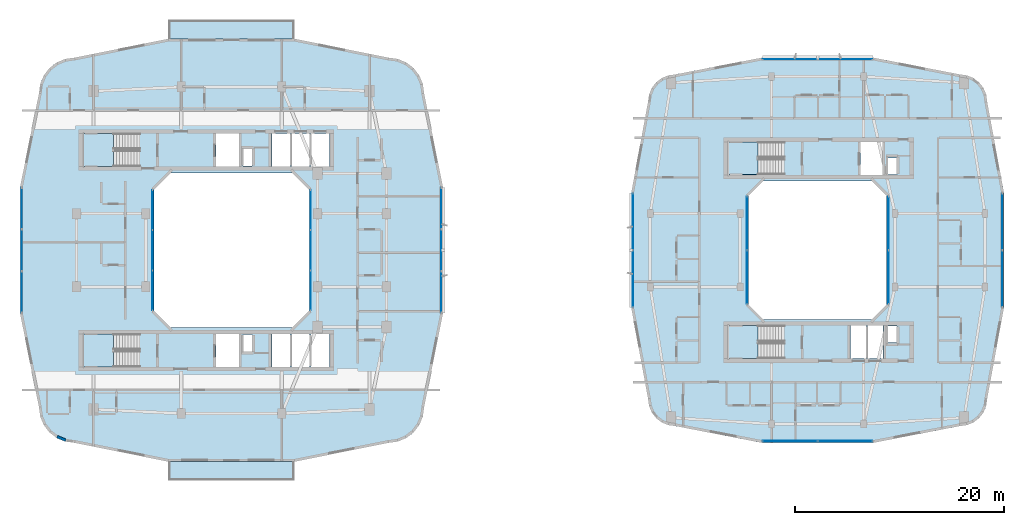
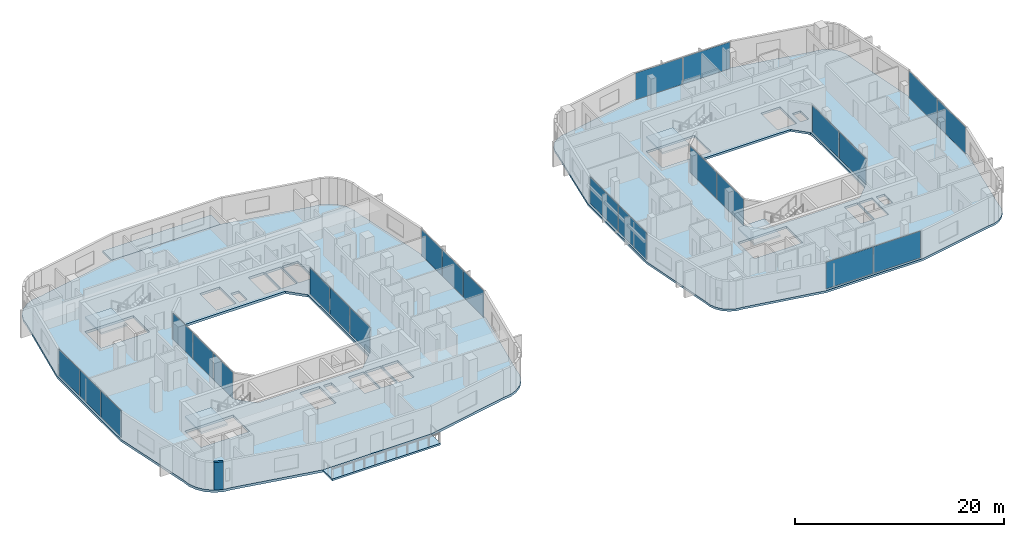
# One storey, part 10 of 26: 24 plates, 8 slabs, 1 wall, 14 elements without a shape of their own.
"""IFC4 building model written with IfcOpenShell, lengths in metres."""

import ifcopenshell
import ifcopenshell.guid

model = None  # the IFC model being written
_history = None  # IfcOwnerHistory: only IFC2X3 demands one
_inside = {}  # id of a spatial element -> (the spatial element, [elements in it])
_under = {}  # id of a project, library or spatial element -> (it, [spatial elements below it])
_declared = {}  # id of a project -> (the project, [libraries it declares])
_typed = {}  # id of a type object -> (the type object, [elements of that type])
_made_of = {}  # id of a material, layer set ... -> (it, [elements and type objects made of it])


def new_model(schema):
    """Start an empty IFC model of exactly this schema.

    Asked for "IFC4X3", IfcOpenShell would pick the latest addendum, in which some entities
    have other attributes; the version numbers below select the first issue.
    IFC2X3 requires an IfcOwnerHistory on every rooted entity: one is made here for all.
    """
    global model, _history
    if schema == "IFC4X3":
        model = ifcopenshell.file(schema_version=(4, 3, 0, 0))
    else:
        model = ifcopenshell.file(schema=schema)
    _inside.clear()
    _under.clear()
    _declared.clear()
    _typed.clear()
    _made_of.clear()
    _history = None
    if model.schema == "IFC2X3":
        org = make("IfcOrganization", Name="unknown")
        user = make(
            "IfcPersonAndOrganization",
            ThePerson=make("IfcPerson", FamilyName="unknown"),
            TheOrganization=org,
        )
        app = make(
            "IfcApplication",
            ApplicationDeveloper=org,
            Version="unknown",
            ApplicationFullName="unknown",
            ApplicationIdentifier="unknown",
        )
        _history = make(
            "IfcOwnerHistory",
            OwningUser=user,
            OwningApplication=app,
            ChangeAction="ADDED",
            CreationDate=0,
        )
    return model


def make(cls, **values):
    """One entity of the class cls with the attributes given. An attribute that is None is left unset."""
    return model.create_entity(
        cls, **{name: value for name, value in values.items() if value is not None}
    )


def rooted(cls, **values):
    """An entity with a GlobalId (a new one), such as an element, a storey or a relation."""
    return make(cls, GlobalId=ifcopenshell.guid.new(), OwnerHistory=_history, **values)


def si_unit(unit_type, name, prefix=None):
    """IfcSIUnit, for example si_unit("LENGTHUNIT", "METRE", prefix="MILLI")."""
    return make("IfcSIUnit", UnitType=unit_type, Prefix=prefix, Name=name)


def derived_unit(unit_type, elements):
    """IfcDerivedUnit: a product of units, each with its exponent."""
    return make(
        "IfcDerivedUnit",
        Elements=[
            make("IfcDerivedUnitElement", Unit=unit, Exponent=power)
            for unit, power in elements
        ],
        UnitType=unit_type,
    )


def assignment(units):
    """IfcUnitAssignment: the units of a project."""
    return None if units is None else make("IfcUnitAssignment", Units=units)


def point(xyz):
    """IfcCartesianPoint."""
    return None if xyz is None else make("IfcCartesianPoint", Coordinates=xyz)


def direction(xyz):
    """IfcDirection."""
    return None if xyz is None else make("IfcDirection", DirectionRatios=xyz)


def frame(location, z_axis=None, x_axis=None):
    """IfcAxis2Placement3D, a coordinate frame: its origin and axes. An axis left out is left unset."""
    return make(
        "IfcAxis2Placement3D",
        Location=point(location),
        Axis=direction(z_axis),
        RefDirection=direction(x_axis),
    )


def frame_2d(location, x_axis=None):
    """IfcAxis2Placement2D, a coordinate frame in the plane: its origin and x axis."""
    return make(
        "IfcAxis2Placement2D", Location=point(location), RefDirection=direction(x_axis)
    )


def origin():
    """The frame at (0, 0, 0) with its axes left unset."""
    return frame((0.0, 0.0, 0.0))


def origin_2d():
    """The frame at (0, 0) in the plane with its x axis left unset."""
    return frame_2d((0.0, 0.0))


def place(relative_to, where):
    """IfcLocalPlacement: puts the frame where relative to a parent placement (None: the world)."""
    return make(
        "IfcLocalPlacement", PlacementRelTo=relative_to, RelativePlacement=where
    )


def context(
    kind, dimensions, precision=None, world=None, true_north=None, identifier=None
):
    """IfcGeometricRepresentationContext, for example the 3D "Model" context."""
    return make(
        "IfcGeometricRepresentationContext",
        ContextIdentifier=identifier,
        ContextType=kind,
        CoordinateSpaceDimension=dimensions,
        Precision=precision,
        WorldCoordinateSystem=world,
        TrueNorth=true_north,
    )


def subcontext(parent, identifier, kind, view, scale=None):
    """IfcGeometricRepresentationSubContext, for example "Body" below "Model"."""
    return make(
        "IfcGeometricRepresentationSubContext",
        ContextIdentifier=identifier,
        ContextType=kind,
        ParentContext=parent,
        TargetScale=scale,
        TargetView=view,
    )


def project(units=None, contexts=None):
    """IfcProject with its units and contexts."""
    return rooted(
        "IfcProject",
        Name="project",
        RepresentationContexts=contexts,
        UnitsInContext=assignment(units),
    )


def spatial(cls, under=None, at=None, **own):
    """A site, building, storey or space (cls), placed at a placement, below another one or the project."""
    s = rooted(cls, ObjectPlacement=at, **own)
    if under is not None:
        _under.setdefault(under.id(), (under, []))[1].append(s)
    return s


def polyline(points):
    """IfcPolyline through the points."""
    return make("IfcPolyline", Points=[point(p) for p in points])


def profile(cls, at=None, kind="AREA", **sizes):
    """A parametric profile (cls). Its sizes go by their IFC names, for example OverallWidth=200.0."""
    return make(cls, ProfileType=kind, Position=at, **sizes)


def rectangle(**sizes):
    """IfcRectangleProfileDef."""
    return profile("IfcRectangleProfileDef", **sizes)


def outline(outer, holes=None, kind="AREA"):
    """IfcArbitraryClosedProfileDef: a profile drawn as a closed curve; with holes, ...WithVoids."""
    if holes is None:
        return make("IfcArbitraryClosedProfileDef", ProfileType=kind, OuterCurve=outer)
    return make(
        "IfcArbitraryProfileDefWithVoids",
        ProfileType=kind,
        OuterCurve=outer,
        InnerCurves=holes,
    )


def extrude(swept, where, along, depth):
    """IfcExtrudedAreaSolid: the profile swept, set in the frame where, extruded along a direction by depth."""
    return make(
        "IfcExtrudedAreaSolid",
        SweptArea=swept,
        Position=where,
        ExtrudedDirection=direction(along),
        Depth=depth,
    )


def shape(context_of_items, identifier, shape_type, items):
    """IfcShapeRepresentation: the items that make up one representation, for example the "Body"."""
    return make(
        "IfcShapeRepresentation",
        ContextOfItems=context_of_items,
        RepresentationIdentifier=identifier,
        RepresentationType=shape_type,
        Items=items,
    )


def material(Name=None, Category=None):
    """IfcMaterial."""
    return make("IfcMaterial", Name=Name, Category=Category)


def layer(
    of_material, thickness, ventilated=None, Name=None, Category=None, Priority=None
):
    """IfcMaterialLayer: one layer of a wall or slab, of a material (None: an air gap)."""
    return make(
        "IfcMaterialLayer",
        Material=of_material,
        LayerThickness=thickness,
        IsVentilated=ventilated,
        Name=Name,
        Category=Category,
        Priority=Priority,
    )


def layer_set(layers, Name=None):
    """IfcMaterialLayerSet."""
    return make("IfcMaterialLayerSet", MaterialLayers=layers, LayerSetName=Name)


def made_of(thing, what):
    """Note that an element or type object is made of a material, layer set ...; save() writes the relation."""
    if what is not None:
        _made_of.setdefault(what.id(), (what, []))[1].append(thing)
    return thing


def type_object(cls, material=None, **own):
    """A type object (cls), such as IfcWallType, which elements share."""
    return made_of(rooted(cls, **own), material)


def element(
    cls,
    number,
    at=None,
    inside=None,
    cuts=None,
    type_object=None,
    material=None,
    context=None,
    identifier="Body",
    shape_type=None,
    held_by="IfcProductDefinitionShape",
    body=None,
    shapes=None,
    **own,
):
    """One element of the class cls, such as IfcWall. Its Tag is "e" and its number.

    at: its placement. inside: the storey or other place that contains it. cuts: it is an
    opening in that element (IfcRelVoidsElement). A single representation is given by context,
    identifier, shape_type and body (its items); several are given by shapes. held_by: the class
    of the entity that holds the representations. save() writes the other relations.
    """
    e = rooted(cls, Tag="e%d" % number, ObjectPlacement=at, **own)
    if body is not None:
        shapes = [shape(context, identifier, shape_type, body)]
    if shapes is not None:
        e.Representation = make(held_by, Representations=shapes)
    if inside is not None:
        _inside.setdefault(inside.id(), (inside, []))[1].append(e)
    if cuts is not None:
        rooted(
            "IfcRelVoidsElement", RelatingBuildingElement=cuts, RelatedOpeningElement=e
        )
    if type_object is not None:
        _typed.setdefault(type_object.id(), (type_object, []))[1].append(e)
    return made_of(e, material)


def aggregate(whole, parts):
    """IfcRelAggregates: a whole, such as a stair, and the parts it consists of."""
    return rooted("IfcRelAggregates", RelatingObject=whole, RelatedObjects=parts)


def save(model, path):
    """Write the relations noted so far, then the file.

    IfcRelAggregates (storeys below a building ...), IfcRelContainedInSpatialStructure (elements
    in a storey), IfcRelDefinesByType, IfcRelAssociatesMaterial and IfcRelDeclares: one each for
    every whole, place, type object, material and project.
    """
    for whole, parts in _under.values():
        aggregate(whole, parts)
    for where, things in _inside.values():
        rooted(
            "IfcRelContainedInSpatialStructure",
            RelatedElements=things,
            RelatingStructure=where,
        )
    for kind, things in _typed.values():
        rooted("IfcRelDefinesByType", RelatedObjects=things, RelatingType=kind)
    for what, things in _made_of.values():
        rooted("IfcRelAssociatesMaterial", RelatedObjects=things, RelatingMaterial=what)
    for by, libraries in _declared.values():
        rooted("IfcRelDeclares", RelatingContext=by, RelatedDefinitions=libraries)
    model.write(path)


model = new_model("IFC4")

# Units and contexts
model_context = context("Model", 3, precision=1e-05, world=origin(), true_north=direction((0.0, 1.0)))
body_context = subcontext(model_context, "Body", "Model", "MODEL_VIEW")
ifc_project = project(units=[si_unit("LENGTHUNIT", "METRE"), si_unit("AREAUNIT", "SQUARE_METRE"), si_unit("VOLUMEUNIT", "CUBIC_METRE"), si_unit("PLANEANGLEUNIT", "RADIAN"), si_unit("MASSUNIT", "GRAM", prefix="KILO"), derived_unit("THERMALTRANSMITTANCEUNIT", [(si_unit("POWERUNIT", "WATT"), 1), (si_unit("LENGTHUNIT", "METRE"), -2), (si_unit("THERMODYNAMICTEMPERATUREUNIT", "KELVIN"), -1)])], contexts=[model_context])

# Site, building, storey
site_placement = place(None, origin())
site = spatial("IfcSite", under=ifc_project, at=site_placement, CompositionType="ELEMENT")
building_placement = place(site_placement, origin())
building = spatial("IfcBuilding", under=site, at=building_placement, Name="Kivonza Crest Hotel", CompositionType="ELEMENT")
storey_placement = place(building_placement, frame((0.0, 0.0, 95.0)))
storey = spatial("IfcBuildingStorey", under=building, at=storey_placement, Name="L25", CompositionType="ELEMENT", Elevation=95.0)

# Curtain wall, plates
ifc_material_1 = material(Name="Anodised bronze aluminium and low-E double glazing", Category="aluminium")
ifc_layer_1 = layer(ifc_material_1, 0.179931640625)
ifc_layer_set_1 = layer_set([ifc_layer_1], Name="Anodised bronze aluminium and low-E double glazing")
curtain_wall_type_1 = type_object("IfcCurtainWallType", Name="CW-SYS-2", PredefinedType="NOTDEFINED", material=ifc_layer_set_1)
curtain_wall_1_placement = place(storey_placement, origin())
curtain_wall_1 = element("IfcCurtainWall", 1, at=curtain_wall_1_placement, inside=storey, type_object=curtain_wall_type_1, Name="L25 unitised curtain wall CW-T1-L25-17", PredefinedType="NOTDEFINED")
ifc_material_2 = material(Name="Solar-control low-E double glazing", Category="glass")
ifc_layer_2 = layer(ifc_material_2, 0.028076171875)
ifc_layer_set_2 = layer_set([ifc_layer_2], Name="Solar-control low-E double glazing")
plate_type = type_object("IfcPlateType", Name="CW-PNL-28", PredefinedType="CURTAIN_PANEL", material=ifc_layer_set_2)
plate_1_placement = place(storey_placement, frame((41.0400390625, 21.0029296875, 0.06494140625), z_axis=(0.0, 0.0, 1.0), x_axis=(0.0, 1.0, 0.0)))
plate_1 = element("IfcPlate", 2, at=plate_1_placement, type_object=plate_type, Name="CW-2 panel 1.1", PredefinedType="CURTAIN_PANEL", context=body_context, shape_type="SweptSolid", body=[
    extrude(rectangle(XDim=3.915771484375, YDim=0.028076171875, at=origin_2d()), origin(), (0.0, 0.0, 1.0), 3.090087890625),
])
plate_2_placement = place(storey_placement, frame((41.0400390625, 25.0, 0.06494140625), z_axis=(0.0, 0.0, 1.0), x_axis=(0.0, 1.0, 0.0)))
plate_2 = element("IfcPlate", 3, at=plate_2_placement, type_object=plate_type, Name="CW-2 panel 2.1", PredefinedType="CURTAIN_PANEL", context=body_context, shape_type="SweptSolid", body=[
    extrude(rectangle(XDim=3.9482421875, YDim=0.028076171875, at=origin_2d()), origin(), (0.0, 0.0, 1.0), 3.090087890625),
])
plate_3_placement = place(storey_placement, frame((41.0400390625, 28.9970703125, 0.06494140625), z_axis=(0.0, 0.0, 1.0), x_axis=(0.0, 1.0, 0.0)))
plate_3 = element("IfcPlate", 4, at=plate_3_placement, type_object=plate_type, Name="CW-2 panel 3.1", PredefinedType="CURTAIN_PANEL", context=body_context, shape_type="SweptSolid", body=[
    extrude(rectangle(XDim=3.915771484375, YDim=0.028076171875, at=origin_2d()), origin(), (0.0, 0.0, 1.0), 3.090087890625),
])
aggregate(curtain_wall_1, [plate_1, plate_2, plate_3])

curtain_wall_2_placement = place(storey_placement, origin())
curtain_wall_2 = element("IfcCurtainWall", 5, at=curtain_wall_2_placement, inside=storey, type_object=curtain_wall_type_1, Name="L25 unitised curtain wall CW-T1-L25-35", PredefinedType="NOTDEFINED")
plate_4_placement = place(storey_placement, frame((0.9599609375, 28.9970703125, 0.06494140625), z_axis=(0.0, 0.0, 1.0), x_axis=(0.0, -1.0, 0.0)))
plate_4 = element("IfcPlate", 6, at=plate_4_placement, type_object=plate_type, Name="CW-2 panel 1.1", PredefinedType="CURTAIN_PANEL", context=body_context, shape_type="SweptSolid", body=[
    extrude(rectangle(XDim=3.915771484375, YDim=0.028076171875, at=origin_2d()), origin(), (0.0, 0.0, 1.0), 3.090087890625),
])
plate_5_placement = place(storey_placement, frame((0.9599609375, 25.0, 0.06494140625), z_axis=(0.0, 0.0, 1.0), x_axis=(0.0, -1.0, 0.0)))
plate_5 = element("IfcPlate", 7, at=plate_5_placement, type_object=plate_type, Name="CW-2 panel 2.1", PredefinedType="CURTAIN_PANEL", context=body_context, shape_type="SweptSolid", body=[
    extrude(rectangle(XDim=3.9482421875, YDim=0.028076171875, at=origin_2d()), origin(), (0.0, 0.0, 1.0), 3.090087890625),
])
plate_6_placement = place(storey_placement, frame((0.9599609375, 21.0029296875, 0.06494140625), z_axis=(0.0, 0.0, 1.0), x_axis=(0.0, -1.0, 0.0)))
plate_6 = element("IfcPlate", 8, at=plate_6_placement, type_object=plate_type, Name="CW-2 panel 3.1", PredefinedType="CURTAIN_PANEL", context=body_context, shape_type="SweptSolid", body=[
    extrude(rectangle(XDim=3.915771484375, YDim=0.028076171875, at=origin_2d()), origin(), (0.0, 0.0, 1.0), 3.090087890625),
])
aggregate(curtain_wall_2, [plate_4, plate_5, plate_6])

ifc_layer_3 = layer(ifc_material_1, 0.159912109375)
ifc_layer_set_3 = layer_set([ifc_layer_3], Name="Anodised bronze aluminium and low-E double glazing")
curtain_wall_type_2 = type_object("IfcCurtainWallType", Name="CW-SYS-5", PredefinedType="NOTDEFINED", material=ifc_layer_set_3)
curtain_wall_3_placement = place(storey_placement, origin())
curtain_wall_3 = element("IfcCurtainWall", 9, at=curtain_wall_3_placement, inside=storey, type_object=curtain_wall_type_2, Name="L25 unitised curtain wall CW-WELL-T1-L25-3", PredefinedType="NOTDEFINED")
plate_7_placement = place(storey_placement, frame((28.56005859375, 21.149658203125, 0.06494140625), z_axis=(0.0, 0.0, 1.0), x_axis=(0.0, 1.0, 0.0)))
plate_7 = element("IfcPlate", 10, at=plate_7_placement, type_object=plate_type, Name="CW-5 panel 1.1", PredefinedType="CURTAIN_PANEL", context=body_context, shape_type="SweptSolid", body=[
    extrude(rectangle(XDim=3.769287109375, YDim=0.028076171875, at=origin_2d()), origin(), (0.0, 0.0, 1.0), 3.090087890625),
])
plate_8_placement = place(storey_placement, frame((28.56005859375, 25.0, 0.06494140625), z_axis=(0.0, 0.0, 1.0), x_axis=(0.0, 1.0, 0.0)))
plate_8 = element("IfcPlate", 11, at=plate_8_placement, type_object=plate_type, Name="CW-5 panel 2.1", PredefinedType="CURTAIN_PANEL", context=body_context, shape_type="SweptSolid", body=[
    extrude(rectangle(XDim=3.8017578125, YDim=0.028076171875, at=origin_2d()), origin(), (0.0, 0.0, 1.0), 3.090087890625),
])
plate_9_placement = place(storey_placement, frame((28.56005859375, 28.850341796875, 0.06494140625), z_axis=(0.0, 0.0, 1.0), x_axis=(0.0, 1.0, 0.0)))
plate_9 = element("IfcPlate", 12, at=plate_9_placement, type_object=plate_type, Name="CW-5 panel 3.1", PredefinedType="CURTAIN_PANEL", context=body_context, shape_type="SweptSolid", body=[
    extrude(rectangle(XDim=3.769287109375, YDim=0.028076171875, at=origin_2d()), origin(), (0.0, 0.0, 1.0), 3.090087890625),
])
aggregate(curtain_wall_3, [plate_7, plate_8, plate_9])

curtain_wall_4_placement = place(storey_placement, origin())
curtain_wall_4 = element("IfcCurtainWall", 13, at=curtain_wall_4_placement, inside=storey, type_object=curtain_wall_type_2, Name="L25 unitised curtain wall CW-WELL-T1-L25-7", PredefinedType="NOTDEFINED")
plate_10_placement = place(storey_placement, frame((13.43994140625, 28.850341796875, 0.06494140625), z_axis=(0.0, 0.0, 1.0), x_axis=(0.0, -1.0, 0.0)))
plate_10 = element("IfcPlate", 14, at=plate_10_placement, type_object=plate_type, Name="CW-5 panel 1.1", PredefinedType="CURTAIN_PANEL", context=body_context, shape_type="SweptSolid", body=[
    extrude(rectangle(XDim=3.769287109375, YDim=0.028076171875, at=origin_2d()), origin(), (0.0, 0.0, 1.0), 3.090087890625),
])
plate_11_placement = place(storey_placement, frame((13.43994140625, 25.0, 0.06494140625), z_axis=(0.0, 0.0, 1.0), x_axis=(0.0, -1.0, 0.0)))
plate_11 = element("IfcPlate", 15, at=plate_11_placement, type_object=plate_type, Name="CW-5 panel 2.1", PredefinedType="CURTAIN_PANEL", context=body_context, shape_type="SweptSolid", body=[
    extrude(rectangle(XDim=3.8017578125, YDim=0.028076171875, at=origin_2d()), origin(), (0.0, 0.0, 1.0), 3.090087890625),
])
plate_12_placement = place(storey_placement, frame((13.43994140625, 21.149658203125, 0.06494140625), z_axis=(0.0, 0.0, 1.0), x_axis=(0.0, -1.0, 0.0)))
plate_12 = element("IfcPlate", 16, at=plate_12_placement, type_object=plate_type, Name="CW-5 panel 3.1", PredefinedType="CURTAIN_PANEL", context=body_context, shape_type="SweptSolid", body=[
    extrude(rectangle(XDim=3.769287109375, YDim=0.028076171875, at=origin_2d()), origin(), (0.0, 0.0, 1.0), 3.090087890625),
])
aggregate(curtain_wall_4, [plate_10, plate_11, plate_12])

ifc_layer_4 = layer(ifc_material_1, 0.179931640625)
ifc_layer_set_4 = layer_set([ifc_layer_4], Name="Anodised bronze aluminium and low-E double glazing")
curtain_wall_type_3 = type_object("IfcCurtainWallType", Name="CW-SYS-4", PredefinedType="NOTDEFINED", material=ifc_layer_set_4)
curtain_wall_5_placement = place(storey_placement, origin())
curtain_wall_5 = element("IfcCurtainWall", 17, at=curtain_wall_5_placement, inside=storey, type_object=curtain_wall_type_3, Name="L25 unitised curtain wall CW-T2-L25-08", PredefinedType="NOTDEFINED")
plate_13_placement = place(storey_placement, frame((74.3662109375, 6.760009765625, 0.06494140625), z_axis=(0.0, 0.0, 1.0), x_axis=(1.0, 0.0, 0.0)))
plate_13 = element("IfcPlate", 18, at=plate_13_placement, type_object=plate_type, Name="CW-4 panel 1.1", PredefinedType="CURTAIN_PANEL", context=body_context, shape_type="SweptSolid", body=[
    extrude(rectangle(XDim=5.202392578125, YDim=0.028076171875, at=origin_2d()), origin(), (0.0, 0.0, 1.0), 3.1201171875),
])
plate_14_placement = place(storey_placement, frame((79.6337890625, 6.760009765625, 0.06494140625), z_axis=(0.0, 0.0, 1.0), x_axis=(1.0, 0.0, 0.0)))
plate_14 = element("IfcPlate", 19, at=plate_14_placement, type_object=plate_type, Name="CW-4 panel 2.1", PredefinedType="CURTAIN_PANEL", context=body_context, shape_type="SweptSolid", body=[
    extrude(rectangle(XDim=5.202392578125, YDim=0.028076171875, at=origin_2d()), origin(), (0.0, 0.0, 1.0), 3.1201171875),
])
aggregate(curtain_wall_5, [plate_13, plate_14])

curtain_wall_6_placement = place(storey_placement, origin())
curtain_wall_6 = element("IfcCurtainWall", 20, at=curtain_wall_6_placement, inside=storey, type_object=curtain_wall_type_3, Name="L25 unitised curtain wall CW-T2-L25-17", PredefinedType="NOTDEFINED")
plate_15_placement = place(storey_placement, frame((94.639892578125, 22.2763671875, 0.06494140625), z_axis=(0.0, 0.0, 1.0), x_axis=(0.0, 1.0, 0.0)))
plate_15 = element("IfcPlate", 21, at=plate_15_placement, type_object=plate_type, Name="CW-4 panel 1.1", PredefinedType="CURTAIN_PANEL", context=body_context, shape_type="SweptSolid", body=[
    extrude(rectangle(XDim=5.382568359375, YDim=0.028076171875, at=origin_2d()), origin(), (0.0, 0.0, 1.0), 3.1201171875),
])
plate_16_placement = place(storey_placement, frame((94.639892578125, 27.7236328125, 0.06494140625), z_axis=(0.0, 0.0, 1.0), x_axis=(0.0, 1.0, 0.0)))
plate_16 = element("IfcPlate", 22, at=plate_16_placement, type_object=plate_type, Name="CW-4 panel 2.1", PredefinedType="CURTAIN_PANEL", context=body_context, shape_type="SweptSolid", body=[
    extrude(rectangle(XDim=5.382568359375, YDim=0.028076171875, at=origin_2d()), origin(), (0.0, 0.0, 1.0), 3.1201171875),
])
aggregate(curtain_wall_6, [plate_15, plate_16])

curtain_wall_7_placement = place(storey_placement, origin())
curtain_wall_7 = element("IfcCurtainWall", 23, at=curtain_wall_7_placement, inside=storey, type_object=curtain_wall_type_3, Name="L25 unitised curtain wall CW-T2-L25-26", PredefinedType="NOTDEFINED")
plate_17_placement = place(storey_placement, frame((79.6337890625, 43.239990234375, 0.06494140625), z_axis=(0.0, 0.0, 1.0), x_axis=(-1.0, 0.0, 0.0)))
plate_17 = element("IfcPlate", 24, at=plate_17_placement, type_object=plate_type, Name="CW-4 panel 1.1", PredefinedType="CURTAIN_PANEL", context=body_context, shape_type="SweptSolid", body=[
    extrude(rectangle(XDim=5.202392578125, YDim=0.028076171875, at=origin_2d()), origin(), (0.0, 0.0, 1.0), 3.1201171875),
])
plate_18_placement = place(storey_placement, frame((74.3662109375, 43.239990234375, 0.06494140625), z_axis=(0.0, 0.0, 1.0), x_axis=(-1.0, 0.0, 0.0)))
plate_18 = element("IfcPlate", 25, at=plate_18_placement, type_object=plate_type, Name="CW-4 panel 2.1", PredefinedType="CURTAIN_PANEL", context=body_context, shape_type="SweptSolid", body=[
    extrude(rectangle(XDim=5.202392578125, YDim=0.028076171875, at=origin_2d()), origin(), (0.0, 0.0, 1.0), 3.1201171875),
])
aggregate(curtain_wall_7, [plate_17, plate_18])

curtain_wall_8_placement = place(storey_placement, origin())
curtain_wall_8 = element("IfcCurtainWall", 26, at=curtain_wall_8_placement, inside=storey, type_object=curtain_wall_type_3, Name="L25 unitised curtain wall CW-T2-L25-35", PredefinedType="NOTDEFINED")
plate_19_placement = place(storey_placement, frame((59.360107421875, 27.7236328125, 0.06494140625), z_axis=(0.0, 0.0, 1.0), x_axis=(0.0, -1.0, 0.0)))
plate_19 = element("IfcPlate", 27, at=plate_19_placement, type_object=plate_type, Name="CW-4 panel 1.1", PredefinedType="CURTAIN_PANEL", context=body_context, shape_type="SweptSolid", body=[
    extrude(rectangle(XDim=5.382568359375, YDim=0.028076171875, at=origin_2d()), origin(), (0.0, 0.0, 1.0), 3.1201171875),
])
plate_20_placement = place(storey_placement, frame((59.360107421875, 22.2763671875, 0.06494140625), z_axis=(0.0, 0.0, 1.0), x_axis=(0.0, -1.0, 0.0)))
plate_20 = element("IfcPlate", 28, at=plate_20_placement, type_object=plate_type, Name="CW-4 panel 2.1", PredefinedType="CURTAIN_PANEL", context=body_context, shape_type="SweptSolid", body=[
    extrude(rectangle(XDim=5.382568359375, YDim=0.028076171875, at=origin_2d()), origin(), (0.0, 0.0, 1.0), 3.1201171875),
])
aggregate(curtain_wall_8, [plate_19, plate_20])

curtain_wall_9_placement = place(storey_placement, origin())
curtain_wall_9 = element("IfcCurtainWall", 29, at=curtain_wall_9_placement, inside=storey, type_object=curtain_wall_type_2, Name="L25 unitised curtain wall CW-WELL-T2-L25-3", PredefinedType="NOTDEFINED")
plate_21_placement = place(storey_placement, frame((83.760009765625, 22.416259765625, 0.06494140625), z_axis=(0.0, 0.0, 1.0), x_axis=(0.0, 1.0, 0.0)))
plate_21 = element("IfcPlate", 30, at=plate_21_placement, type_object=plate_type, Name="CW-5 panel 1.1", PredefinedType="CURTAIN_PANEL", context=body_context, shape_type="SweptSolid", body=[
    extrude(rectangle(XDim=5.1025390625, YDim=0.028076171875, at=origin_2d()), origin(), (0.0, 0.0, 1.0), 3.1201171875),
])
plate_22_placement = place(storey_placement, frame((83.760009765625, 27.583740234375, 0.06494140625), z_axis=(0.0, 0.0, 1.0), x_axis=(0.0, 1.0, 0.0)))
plate_22 = element("IfcPlate", 31, at=plate_22_placement, type_object=plate_type, Name="CW-5 panel 2.1", PredefinedType="CURTAIN_PANEL", context=body_context, shape_type="SweptSolid", body=[
    extrude(rectangle(XDim=5.1025390625, YDim=0.028076171875, at=origin_2d()), origin(), (0.0, 0.0, 1.0), 3.1201171875),
])
aggregate(curtain_wall_9, [plate_21, plate_22])

curtain_wall_10_placement = place(storey_placement, origin())
curtain_wall_10 = element("IfcCurtainWall", 32, at=curtain_wall_10_placement, inside=storey, type_object=curtain_wall_type_2, Name="L25 unitised curtain wall CW-WELL-T2-L25-7", PredefinedType="NOTDEFINED")
plate_23_placement = place(storey_placement, frame((70.239990234375, 27.583740234375, 0.06494140625), z_axis=(0.0, 0.0, 1.0), x_axis=(0.0, -1.0, 0.0)))
plate_23 = element("IfcPlate", 33, at=plate_23_placement, type_object=plate_type, Name="CW-5 panel 1.1", PredefinedType="CURTAIN_PANEL", context=body_context, shape_type="SweptSolid", body=[
    extrude(rectangle(XDim=5.1025390625, YDim=0.028076171875, at=origin_2d()), origin(), (0.0, 0.0, 1.0), 3.1201171875),
])
plate_24_placement = place(storey_placement, frame((70.239990234375, 22.416259765625, 0.06494140625), z_axis=(0.0, 0.0, 1.0), x_axis=(0.0, -1.0, 0.0)))
plate_24 = element("IfcPlate", 34, at=plate_24_placement, type_object=plate_type, Name="CW-5 panel 2.1", PredefinedType="CURTAIN_PANEL", context=body_context, shape_type="SweptSolid", body=[
    extrude(rectangle(XDim=5.1025390625, YDim=0.028076171875, at=origin_2d()), origin(), (0.0, 0.0, 1.0), 3.1201171875),
])
aggregate(curtain_wall_10, [plate_23, plate_24])

# Slab
ifc_material_3 = material(Name="Concrete C40/50", Category="concrete")
ifc_layer_5 = layer(ifc_material_3, 0.280029296875)
ifc_layer_set_5 = layer_set([ifc_layer_5], Name="Concrete C40/50")
slab_type_1 = type_object("IfcSlabType", Name="SL-HTL-280", PredefinedType="FLOOR", material=ifc_layer_set_5)
slab_1_placement = place(storey_placement, frame((0.0, 0.0, -0.280029296875)))
element("IfcSlab", 35, at=slab_1_placement, inside=storey, type_object=slab_type_1, Name="Tower T1 L25 floor slab", PredefinedType="FLOOR", context=body_context, shape_type="SweptSolid", body=[
    extrude(outline(polyline([(2.60009765625, 10.0), (2.716064453125, 9.1201171875), (3.055908203125, 8.300048828125), (3.595947265625, 7.595947265625), (4.300048828125, 7.055908203125), (5.1201171875, 6.716064453125), (6.0, 6.60009765625), (14.93994140625, 4.800048828125), (27.06005859375, 4.800048828125), (36.0, 6.60009765625), (36.8798828125, 6.716064453125), (37.699951171875, 7.055908203125), (38.404052734375, 7.595947265625), (38.944091796875, 8.300048828125), (39.283935546875, 9.1201171875), (39.39990234375, 10.0), (41.199951171875, 18.93994140625), (41.199951171875, 31.06005859375), (39.39990234375, 40.0), (39.283935546875, 40.8798828125), (38.944091796875, 41.699951171875), (38.404052734375, 42.404052734375), (37.699951171875, 42.944091796875), (36.8798828125, 43.283935546875), (36.0, 43.39990234375), (27.06005859375, 45.199951171875), (14.93994140625, 45.199951171875), (6.0, 43.39990234375), (5.1201171875, 43.283935546875), (4.300048828125, 42.944091796875), (3.595947265625, 42.404052734375), (3.055908203125, 41.699951171875), (2.716064453125, 40.8798828125), (2.60009765625, 40.0), (0.800048828125, 31.06005859375), (0.800048828125, 18.93994140625), (2.60009765625, 10.0)]), holes=[polyline([(15.199951171875, 17.60009765625), (26.800048828125, 17.60009765625), (28.39990234375, 19.199951171875), (28.39990234375, 30.800048828125), (26.800048828125, 32.39990234375), (15.199951171875, 32.39990234375), (13.60009765625, 30.800048828125), (13.60009765625, 19.199951171875), (15.199951171875, 17.60009765625)]), polyline([(6.800048828125, 33.02001953125), (12.159912109375, 33.02001953125), (12.159912109375, 36.159912109375), (6.800048828125, 36.159912109375), (6.800048828125, 33.02001953125)]), polyline([(6.800048828125, 13.860107421875), (12.159912109375, 13.860107421875), (12.159912109375, 17.0), (6.800048828125, 17.0), (6.800048828125, 13.860107421875)]), polyline([(22.080078125, 33.0400390625), (22.969970703125, 33.0400390625), (22.969970703125, 34.679931640625), (22.080078125, 34.679931640625), (22.080078125, 33.0400390625)]), polyline([(22.080078125, 15.320068359375), (22.969970703125, 15.320068359375), (22.969970703125, 16.9599609375), (22.080078125, 16.9599609375), (22.080078125, 15.320068359375)]), polyline([(19.5, 33.0), (21.699951171875, 33.0), (21.699951171875, 36.159912109375), (19.5, 36.159912109375), (19.5, 33.0)]), polyline([(24.860107421875, 33.0), (26.60693359375, 33.0), (26.60693359375, 36.159912109375), (24.860107421875, 36.159912109375), (24.860107421875, 33.0)]), polyline([(26.72705078125, 33.0), (28.472900390625, 33.0), (28.472900390625, 36.159912109375), (26.72705078125, 36.159912109375), (26.72705078125, 33.0)]), polyline([(28.593017578125, 33.0), (30.340087890625, 33.0), (30.340087890625, 36.159912109375), (28.593017578125, 36.159912109375), (28.593017578125, 33.0)]), polyline([(19.5, 13.840087890625), (21.699951171875, 13.840087890625), (21.699951171875, 17.0), (19.5, 17.0), (19.5, 13.840087890625)]), polyline([(24.860107421875, 13.840087890625), (26.60693359375, 13.840087890625), (26.60693359375, 17.0), (24.860107421875, 17.0), (24.860107421875, 13.840087890625)]), polyline([(26.72705078125, 13.840087890625), (28.472900390625, 13.840087890625), (28.472900390625, 17.0), (26.72705078125, 17.0), (26.72705078125, 13.840087890625)]), polyline([(28.593017578125, 13.840087890625), (30.340087890625, 13.840087890625), (30.340087890625, 17.0), (28.593017578125, 17.0), (28.593017578125, 13.840087890625)])]), origin(), (0.0, 0.0, 1.0), 0.280029296875),
])

# Stair, slab
stair_type = type_object("IfcStairType", Name="ST-DL-20R", PredefinedType="HALF_TURN_STAIR", material=ifc_material_3)
stair_1_placement = place(storey_placement, origin())
stair_1 = element("IfcStair", 36, at=stair_1_placement, inside=storey, type_object=stair_type, Name="L25 Protected Exit Stair ST-T1-N", PredefinedType="HALF_TURN_STAIR")
ifc_layer_6 = layer(ifc_material_3, 0.199951171875)
ifc_layer_set_6 = layer_set([ifc_layer_6], Name="Concrete C40/50")
slab_type_2 = type_object("IfcSlabType", Name="SL-LAND-200", PredefinedType="LANDING", material=ifc_layer_set_6)
slab_2_placement = place(storey_placement, frame((0.0, 0.0, 1.550048828125)))
slab_2 = element("IfcSlab", 37, at=slab_2_placement, type_object=slab_type_2, Name="ST-T1-N landing 1", PredefinedType="LANDING", context=body_context, shape_type="SweptSolid", body=[
    extrude(outline(polyline([(9.719970703125, 36.159912109375), (6.800048828125, 36.159912109375), (6.800048828125, 33.02001953125), (9.719970703125, 33.02001953125), (9.719970703125, 36.159912109375)])), origin(), (0.0, 0.0, 1.0), 0.199951171875),
])
aggregate(stair_1, [slab_2])

stair_2_placement = place(storey_placement, origin())
stair_2 = element("IfcStair", 38, at=stair_2_placement, inside=storey, type_object=stair_type, Name="L25 Protected Exit Stair ST-T1-S", PredefinedType="HALF_TURN_STAIR")
slab_3_placement = place(storey_placement, frame((0.0, 0.0, 1.550048828125)))
slab_3 = element("IfcSlab", 39, at=slab_3_placement, type_object=slab_type_2, Name="ST-T1-S landing 1", PredefinedType="LANDING", context=body_context, shape_type="SweptSolid", body=[
    extrude(outline(polyline([(9.719970703125, 17.0), (6.800048828125, 17.0), (6.800048828125, 13.860107421875), (9.719970703125, 13.860107421875), (9.719970703125, 17.0)])), origin(), (0.0, 0.0, 1.0), 0.199951171875),
])
aggregate(stair_2, [slab_3])

stair_3_placement = place(storey_placement, origin())
stair_3 = element("IfcStair", 40, at=stair_3_placement, inside=storey, type_object=stair_type, Name="L25 Protected Exit Stair ST-T2-N", PredefinedType="HALF_TURN_STAIR")
slab_4_placement = place(storey_placement, frame((0.0, 0.0, 1.550048828125)))
slab_4 = element("IfcSlab", 41, at=slab_4_placement, type_object=slab_type_2, Name="ST-T2-N landing 1", PredefinedType="LANDING", context=body_context, shape_type="SweptSolid", body=[
    extrude(outline(polyline([(71.320068359375, 35.360107421875), (68.39990234375, 35.360107421875), (68.39990234375, 32.219970703125), (71.320068359375, 32.219970703125), (71.320068359375, 35.360107421875)])), origin(), (0.0, 0.0, 1.0), 0.199951171875),
])
aggregate(stair_3, [slab_4])

stair_4_placement = place(storey_placement, origin())
stair_4 = element("IfcStair", 42, at=stair_4_placement, inside=storey, type_object=stair_type, Name="L25 Protected Exit Stair ST-T2-S", PredefinedType="HALF_TURN_STAIR")
slab_5_placement = place(storey_placement, frame((0.0, 0.0, 1.550048828125)))
slab_5 = element("IfcSlab", 43, at=slab_5_placement, type_object=slab_type_2, Name="ST-T2-S landing 1", PredefinedType="LANDING", context=body_context, shape_type="SweptSolid", body=[
    extrude(outline(polyline([(71.320068359375, 17.800048828125), (68.39990234375, 17.800048828125), (68.39990234375, 14.659912109375), (71.320068359375, 14.659912109375), (71.320068359375, 17.800048828125)])), origin(), (0.0, 0.0, 1.0), 0.199951171875),
])
aggregate(stair_4, [slab_5])

# Slabs
ifc_layer_7 = layer(ifc_material_3, 0.25)
ifc_layer_set_7 = layer_set([ifc_layer_7], Name="Concrete C40/50")
slab_type_3 = type_object("IfcSlabType", Name="SL-RES-250", PredefinedType="FLOOR", material=ifc_layer_set_7)
slab_6_placement = place(storey_placement, frame((0.0, 0.0, -0.25)))
element("IfcSlab", 44, at=slab_6_placement, inside=storey, type_object=slab_type_3, Name="Companion Tower T2 L25 floor slab", PredefinedType="FLOOR", context=body_context, shape_type="SweptSolid", body=[
    extrude(outline(polyline([(60.800048828125, 10.800048828125), (60.888916015625, 10.126953125), (61.14794921875, 9.5), (61.56201171875, 8.9619140625), (62.10009765625, 8.548095703125), (62.72705078125, 8.2890625), (63.39990234375, 8.199951171875), (71.659912109375, 6.60009765625), (82.340087890625, 6.60009765625), (90.60009765625, 8.199951171875), (91.27294921875, 8.2890625), (91.89990234375, 8.548095703125), (92.43798828125, 8.9619140625), (92.85205078125, 9.5), (93.111083984375, 10.126953125), (93.199951171875, 10.800048828125), (94.800048828125, 19.47998046875), (94.800048828125, 30.52001953125), (93.199951171875, 39.199951171875), (93.111083984375, 39.873046875), (92.85205078125, 40.5), (92.43798828125, 41.0380859375), (91.89990234375, 41.451904296875), (91.27294921875, 41.7109375), (90.60009765625, 41.800048828125), (82.340087890625, 43.39990234375), (71.659912109375, 43.39990234375), (63.39990234375, 41.800048828125), (62.72705078125, 41.7109375), (62.10009765625, 41.451904296875), (61.56201171875, 41.0380859375), (61.14794921875, 40.5), (60.888916015625, 39.873046875), (60.800048828125, 39.199951171875), (59.199951171875, 30.52001953125), (59.199951171875, 19.47998046875), (60.800048828125, 10.800048828125)]), holes=[polyline([(71.800048828125, 18.39990234375), (82.199951171875, 18.39990234375), (83.60009765625, 19.800048828125), (83.60009765625, 30.199951171875), (82.199951171875, 31.60009765625), (71.800048828125, 31.60009765625), (70.39990234375, 30.199951171875), (70.39990234375, 19.800048828125), (71.800048828125, 18.39990234375)]), polyline([(68.39990234375, 32.219970703125), (73.760009765625, 32.219970703125), (73.760009765625, 35.360107421875), (68.39990234375, 35.360107421875), (68.39990234375, 32.219970703125)]), polyline([(68.39990234375, 14.659912109375), (73.760009765625, 14.659912109375), (73.760009765625, 17.800048828125), (68.39990234375, 17.800048828125), (68.39990234375, 14.659912109375)]), polyline([(83.679931640625, 32.239990234375), (84.570068359375, 32.239990234375), (84.570068359375, 33.820068359375), (83.679931640625, 33.820068359375), (83.679931640625, 32.239990234375)]), polyline([(83.679931640625, 16.179931640625), (84.570068359375, 16.179931640625), (84.570068359375, 17.760009765625), (83.679931640625, 17.760009765625), (83.679931640625, 16.179931640625)]), polyline([(81.10009765625, 32.199951171875), (83.199951171875, 32.199951171875), (83.199951171875, 35.360107421875), (81.10009765625, 35.360107421875), (81.10009765625, 32.199951171875)]), polyline([(80.159912109375, 14.639892578125), (81.639892578125, 14.639892578125), (81.639892578125, 17.800048828125), (80.159912109375, 17.800048828125), (80.159912109375, 14.639892578125)]), polyline([(81.760009765625, 14.639892578125), (83.239990234375, 14.639892578125), (83.239990234375, 17.800048828125), (81.760009765625, 17.800048828125), (81.760009765625, 14.639892578125)])]), origin(), (0.0, 0.0, 1.0), 0.25),
])
ifc_layer_8 = layer(ifc_material_3, 0.219970703125)
ifc_layer_set_8 = layer_set([ifc_layer_8], Name="Concrete C40/50")
slab_type_4 = type_object("IfcSlabType", Name="SL-TERR-220", PredefinedType="FLOOR", material=ifc_layer_set_8)
slab_7_placement = place(storey_placement, frame((0.0, 0.0, -0.219970703125)))
element("IfcSlab", 45, at=slab_7_placement, inside=storey, type_object=slab_type_4, Name="Tower T1 L25 South setback planted terrace", PredefinedType="FLOOR", context=body_context, shape_type="SweptSolid", body=[
    extrude(outline(polyline([(15.0, 3.0), (27.0, 3.0), (27.0, 4.800048828125), (15.0, 4.800048828125), (15.0, 3.0)])), origin(), (0.0, 0.0, 1.0), 0.219970703125),
])
slab_8_placement = place(storey_placement, frame((0.0, 0.0, -0.219970703125)))
element("IfcSlab", 46, at=slab_8_placement, inside=storey, type_object=slab_type_4, Name="Tower T1 L25 North setback planted terrace", PredefinedType="FLOOR", context=body_context, shape_type="SweptSolid", body=[
    extrude(outline(polyline([(15.0, 45.199951171875), (27.0, 45.199951171875), (27.0, 47.0), (15.0, 47.0), (15.0, 45.199951171875)])), origin(), (0.0, 0.0, 1.0), 0.219970703125),
])

# Wall
ifc_material_4 = material(Name="Precast concrete C40/50", Category="concrete")
ifc_layer_9 = layer(ifc_material_4, 0.260009765625)
ifc_layer_set_9 = layer_set([ifc_layer_9], Name="Precast concrete C40/50")
wall_type = type_object("IfcWallType", Name="WL-EXT-260", PredefinedType="STANDARD", material=ifc_layer_set_9)
wall_placement = place(storey_placement, frame((4.326904296875, 7.18603515625, 0.0), z_axis=(0.0, 0.0, 1.0), x_axis=(0.923683767999, -0.383155708213, 0.0)))
element("IfcWall", 47, at=wall_placement, inside=storey, type_object=wall_type, Name="L25 T1 exterior insulated wall 5", PredefinedType="STANDARD", context=body_context, shape_type="SweptSolid", body=[
    extrude(rectangle(XDim=0.90283203125, YDim=0.260009765625, at=frame_2d((0.451416015625, 0.0))), origin(), (0.0, 0.0, 1.0), 3.219970703125),
])

save(model, "model.ifc")
